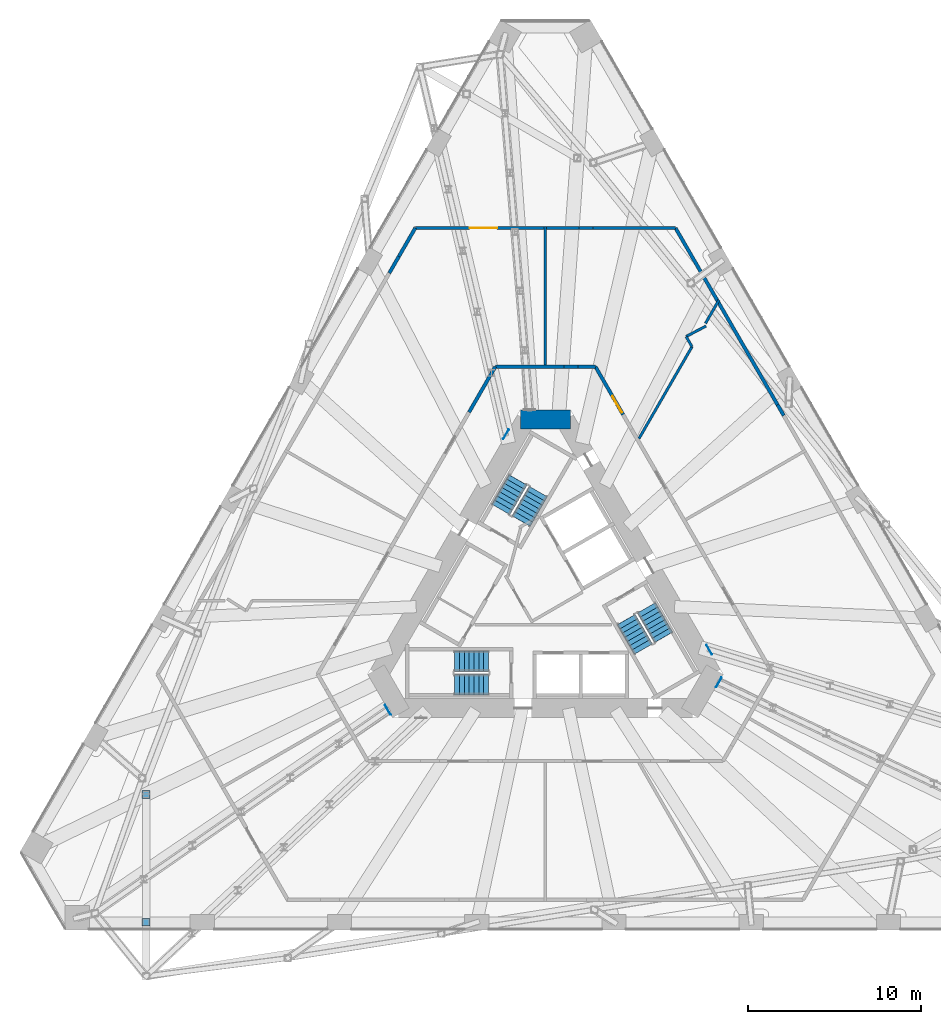
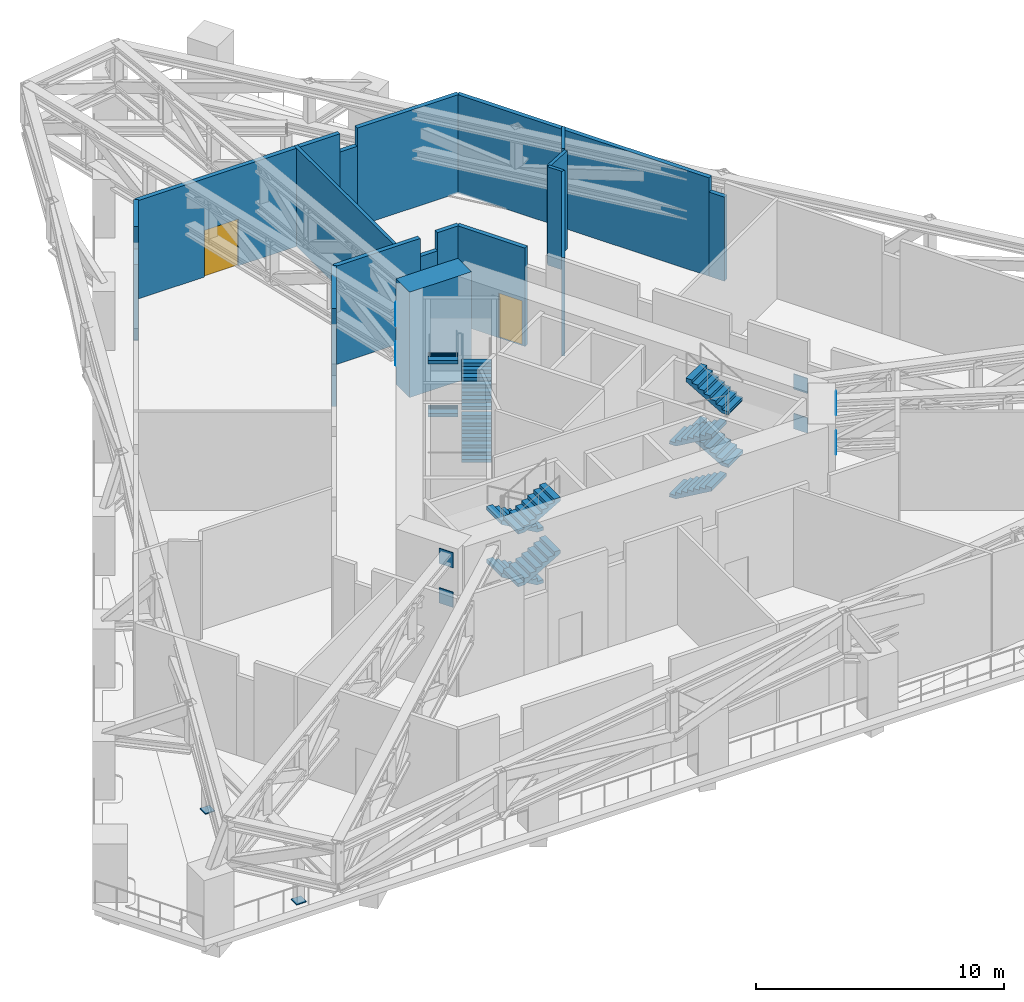
# One storey, part 13 of 20: 18 walls, 12 stair flights, 10 discrete accessories, 2 doors, 2 openings, 3 elements without a shape of their own.
"""IFC4 building model written with IfcOpenShell, lengths in metres."""

from ifc_helpers import new_model, si_unit, direction, frame, frame_2d, origin, origin_2d, place, context, subcontext, project, spatial, polyline, rectangle, outline, extrude, material, layer, layer_set, type_object, element, fill, aggregate, save


model = new_model("IFC4")

# Units and contexts
model_context = context("Model", 3, precision=1e-05, world=origin(), true_north=direction((0.0, 1.0)))
body_context = subcontext(model_context, "Body", "Model", "MODEL_VIEW")
ifc_project = project(units=[si_unit("LENGTHUNIT", "METRE"), si_unit("AREAUNIT", "SQUARE_METRE"), si_unit("VOLUMEUNIT", "CUBIC_METRE"), si_unit("PLANEANGLEUNIT", "RADIAN"), si_unit("MASSUNIT", "GRAM", prefix="KILO")], contexts=[model_context])

# Site, building, storey
site_placement = place(None, origin())
site = spatial("IfcSite", under=ifc_project, at=site_placement, CompositionType="ELEMENT")
building_placement = place(site_placement, origin())
building = spatial("IfcBuilding", under=site, at=building_placement, Name="Tramontana Tower", CompositionType="ELEMENT")
storey_placement = place(building_placement, frame((0.0, 0.0, 46.0)))
storey = spatial("IfcBuildingStorey", under=building, at=storey_placement, Name="L09", CompositionType="ELEMENT", Elevation=46.0)

# Walls
ifc_material_1 = material(Name="Concrete 70 MPa", Category="concrete")
ifc_layer_1 = layer(ifc_material_1, 1.10009765625)
ifc_layer_set_1 = layer_set([ifc_layer_1], Name="Core wall 1100 70 MPa")
wall_type_1 = type_object("IfcWallType", Name="Core wall 1100 70 MPa", PredefinedType="SHEAR", material=ifc_layer_set_1)
wall_1_placement = place(storey_placement, frame((1.443359375, 10.449951171875, 0.0), z_axis=(0.0, 0.0, 1.0), x_axis=(-1.0, 0.0, 0.0)))
element("IfcWall", 1, at=wall_1_placement, inside=storey, type_object=wall_type_1, Name="Core wall C0 L09", PredefinedType="SHEAR", context=body_context, shape_type="SweptSolid", body=[
    extrude(rectangle(XDim=2.88671875, YDim=1.10009765625, at=frame_2d((1.443359375, 0.0))), origin(), (0.0, 0.0, 1.0), 5.199951171875),
])
ifc_material_2 = material(Name="Blockwork", Category="masonry")
ifc_layer_2 = layer(ifc_material_2, 0.199951171875)
ifc_layer_set_2 = layer_set([ifc_layer_2], Name="ENCLOSURE WALL 200")
wall_type_2 = type_object("IfcWallType", Name="ENCLOSURE WALL 200", PredefinedType="SOLIDWALL", material=ifc_layer_set_2)
wall_2_placement = place(storey_placement, frame((7.505615234375, 21.5, 0.0), z_axis=(0.0, 0.0, 1.0), x_axis=(0.500004108169, -0.866023031919, 0.0)))
element("IfcWall", 2, at=wall_2_placement, inside=storey, type_object=wall_type_2, Name="Wall enc0-0", PredefinedType="SOLIDWALL", context=body_context, shape_type="SweptSolid", body=[
    extrude(rectangle(XDim=11.7802734375, YDim=0.199951171875, at=frame_2d((5.89013671875, 0.0))), origin(), (0.0, 0.0, 1.0), 4.85009765625),
])
wall_3_placement = place(storey_placement, frame((13.395751953125, 11.298095703125, 0.0), z_axis=(0.0, 0.0, 1.0), x_axis=(0.499881507708, -0.866093804534, 0.0)))
element("IfcWall", 3, at=wall_3_placement, inside=storey, type_object=wall_type_2, Name="Wall enc0-1", PredefinedType="SOLIDWALL", context=body_context, shape_type="SweptSolid", body=[
    extrude(rectangle(XDim=0.708740234375, YDim=0.199951171875, at=frame_2d((0.3544921875, 0.0))), origin(), (0.0, 0.0, 1.0), 4.14990234375),
])
wall_4_placement = place(storey_placement, frame((-9.00537109375, 18.90234375, 0.0), z_axis=(0.0, 0.0, 1.0), x_axis=(0.499951133605, 0.866053614973, 0.0)))
element("IfcWall", 4, at=wall_4_placement, inside=storey, type_object=wall_type_2, Name="Wall enc4-5", PredefinedType="SOLIDWALL", context=body_context, shape_type="SweptSolid", body=[
    extrude(rectangle(XDim=1.10888671875, YDim=0.199951171875, at=frame_2d((0.554443359375, 0.0))), origin(), (0.0, 0.0, 1.0), 3.75),
])
wall_5_placement = place(storey_placement, frame((-8.450927734375, 19.86279296875, 0.0), z_axis=(0.0, 0.0, 1.0), x_axis=(0.5000279999, 0.866009237431, 0.0)))
element("IfcWall", 5, at=wall_5_placement, inside=storey, type_object=wall_type_2, Name="Wall enc4-6", PredefinedType="SOLIDWALL", context=body_context, shape_type="SweptSolid", body=[
    extrude(rectangle(XDim=1.890625, YDim=0.199951171875, at=frame_2d((0.9453125, 0.0))), origin(), (0.0, 0.0, 1.0), 4.85009765625),
])

# Wall, opening, door
wall_6_placement = place(storey_placement, frame((-7.505615234375, 21.5, 0.0), z_axis=(0.0, 0.0, 1.0), x_axis=(1.0, 0.0, 0.0)))
wall_6 = element("IfcWall", 6, at=wall_6_placement, inside=storey, type_object=wall_type_2, Name="Wall enc5-0", PredefinedType="SOLIDWALL", context=body_context, shape_type="SweptSolid", body=[
    extrude(rectangle(XDim=9.455078125, YDim=0.199951171875, at=frame_2d((4.7275390625, 0.0))), origin(), (0.0, 0.0, 1.0), 4.85009765625),
])
opening_1_placement = place(wall_6_placement, frame((3.127685546875, 0.0, 0.0)))
opening_1 = element("IfcOpeningElement", 7, at=opening_1_placement, cuts=wall_6, Name="Opening L09-10", PredefinedType="OPENING", context=body_context, shape_type="SweptSolid", body=[
    extrude(rectangle(XDim=1.60009765625, YDim=2.300048828125, at=frame_2d((0.800048828125, 1.14990234375))), frame((0.0, 0.10986328125, 0.0), z_axis=(0.0, -1.0, 0.0), x_axis=(1.0, 0.0, 0.0)), (0.0, 0.0, 1.0), 0.219970703125),
])
ifc_material_3 = material(Name="Painted timber", Category="wood")
door_type_1 = type_object("IfcDoorType", Name="DOOR WIDE 1600", OperationType="SINGLE_SWING_LEFT", PredefinedType="DOOR", material=ifc_material_3)
door_1_placement = place(opening_1_placement, origin())
door_1 = element("IfcDoor", 8, at=door_1_placement, inside=storey, type_object=door_type_1, Name="Door L09-10", OperationType="DOUBLE_DOOR_SINGLE_SWING", OverallHeight=2.300048828125, OverallWidth=1.60009765625, PredefinedType="DOOR", context=body_context, shape_type="SweptSolid", body=[
    extrude(rectangle(XDim=1.60009765625, YDim=2.300048828125, at=frame_2d((0.800048828125, 1.14990234375))), frame((0.0, 0.02490234375, 0.0), z_axis=(0.0, -1.0, 0.0), x_axis=(1.0, 0.0, 0.0)), (0.0, 0.0, 1.0), 0.050048828125),
])
fill(opening_1, door_1)

# Walls
wall_7_placement = place(storey_placement, frame((1.949462890625, 21.5, 0.0), z_axis=(0.0, 0.0, 1.0), x_axis=(1.0, 0.0, 0.0)))
element("IfcWall", 9, at=wall_7_placement, inside=storey, type_object=wall_type_2, Name="Wall enc5-1", PredefinedType="SOLIDWALL", context=body_context, shape_type="SweptSolid", body=[
    extrude(rectangle(XDim=0.8046875, YDim=0.199951171875, at=frame_2d((0.40234375, 0.0))), origin(), (0.0, 0.0, 1.0), 3.949951171875),
])
wall_8_placement = place(storey_placement, frame((2.754150390625, 21.5, 0.0), z_axis=(0.0, 0.0, 1.0), x_axis=(1.0, 0.0, 0.0)))
element("IfcWall", 10, at=wall_8_placement, inside=storey, type_object=wall_type_2, Name="Wall enc5-2", PredefinedType="SOLIDWALL", context=body_context, shape_type="SweptSolid", body=[
    extrude(rectangle(XDim=4.75146484375, YDim=0.199951171875, at=frame_2d((2.375732421875, 0.0))), origin(), (0.0, 0.0, 1.0), 4.85009765625),
])

# Wall, opening, door
ifc_material_4 = material(Name="Blockwork", Category="masonry")
ifc_layer_3 = layer(ifc_material_4, 0.199951171875)
ifc_layer_set_3 = layer_set([ifc_layer_3], Name="ENTRY WALL 200")
wall_type_3 = type_object("IfcWallType", Name="ENTRY WALL 200", PredefinedType="SOLIDWALL", material=ifc_layer_set_3)
wall_9_placement = place(storey_placement, frame((2.88671875, 13.5, 0.0), z_axis=(0.0, 0.0, 1.0), x_axis=(0.50003154259, -0.866007191896, 0.0)))
wall_9 = element("IfcWall", 11, at=wall_9_placement, inside=storey, type_object=wall_type_3, Name="Wall ew0-0", PredefinedType="SOLIDWALL", context=body_context, shape_type="SweptSolid", body=[
    extrude(rectangle(XDim=3.190673828125, YDim=0.199951171875, at=frame_2d((1.59521484375, 0.0))), origin(), (0.0, 0.0, 1.0), 4.85009765625),
])
opening_2_placement = place(wall_9_placement, frame((1.955810546875, 0.0, 0.0)))
opening_2 = element("IfcOpeningElement", 12, at=opening_2_placement, cuts=wall_9, Name="Opening L09-01", PredefinedType="OPENING", context=body_context, shape_type="SweptSolid", body=[
    extrude(rectangle(XDim=1.10009765625, YDim=2.199951171875, at=frame_2d((0.550048828125, 1.10009765625))), frame((0.0, 0.10986328125, 0.0), z_axis=(0.0, -1.0, 0.0), x_axis=(1.0, 0.0, 0.0)), (0.0, 0.0, 1.0), 0.219970703125),
])
ifc_material_5 = material(Name="Painted steel", Category="steel")
door_type_2 = type_object("IfcDoorType", Name="PLANT DOOR 1100", OperationType="SINGLE_SWING_LEFT", PredefinedType="DOOR", material=ifc_material_5)
door_2_placement = place(opening_2_placement, origin())
door_2 = element("IfcDoor", 13, at=door_2_placement, inside=storey, type_object=door_type_2, Name="Door L09-01", OperationType="SINGLE_SWING_LEFT", OverallHeight=2.199951171875, OverallWidth=1.10009765625, PredefinedType="DOOR", context=body_context, shape_type="SweptSolid", body=[
    extrude(rectangle(XDim=1.10009765625, YDim=2.199951171875, at=frame_2d((0.550048828125, 1.10009765625))), frame((0.0, 0.02490234375, 0.0), z_axis=(0.0, -1.0, 0.0), x_axis=(1.0, 0.0, 0.0)), (0.0, 0.0, 1.0), 0.050048828125),
])
fill(opening_2, door_2)

# Walls
wall_10_placement = place(storey_placement, frame((-4.403076171875, 10.873779296875, 0.0), z_axis=(0.0, 0.0, 1.0), x_axis=(0.500026757412, 0.866009954834, 0.0)))
element("IfcWall", 14, at=wall_10_placement, inside=storey, type_object=wall_type_3, Name="Wall ew4-8", PredefinedType="SOLIDWALL", context=body_context, shape_type="SweptSolid", body=[
    extrude(rectangle(XDim=3.032470703125, YDim=0.199951171875, at=frame_2d((1.51611328125, 0.0))), origin(), (0.0, 0.0, 1.0), 4.85009765625),
])
wall_11_placement = place(storey_placement, frame((-2.88671875, 13.5, 0.0), z_axis=(0.0, 0.0, 1.0), x_axis=(1.0, 0.0, 0.0)))
element("IfcWall", 15, at=wall_11_placement, inside=storey, type_object=wall_type_3, Name="Wall ew5-0", PredefinedType="SOLIDWALL", context=body_context, shape_type="SweptSolid", body=[
    extrude(rectangle(XDim=3.9609375, YDim=0.199951171875, at=frame_2d((1.98046875, 0.0))), origin(), (0.0, 0.0, 1.0), 4.85009765625),
])
wall_12_placement = place(storey_placement, frame((1.07421875, 13.5, 0.0), z_axis=(0.0, 0.0, 1.0), x_axis=(1.0, 0.0, 0.0)))
element("IfcWall", 16, at=wall_12_placement, inside=storey, type_object=wall_type_3, Name="Wall ew5-1", PredefinedType="SOLIDWALL", context=body_context, shape_type="SweptSolid", body=[
    extrude(rectangle(XDim=0.804931640625, YDim=0.199951171875, at=frame_2d((0.40234375, 0.0))), origin(), (0.0, 0.0, 1.0), 3.949951171875),
])
wall_13_placement = place(storey_placement, frame((1.879150390625, 13.5, 0.0), z_axis=(0.0, 0.0, 1.0), x_axis=(1.0, 0.0, 0.0)))
element("IfcWall", 17, at=wall_13_placement, inside=storey, type_object=wall_type_3, Name="Wall ew5-2", PredefinedType="SOLIDWALL", context=body_context, shape_type="SweptSolid", body=[
    extrude(rectangle(XDim=1.007568359375, YDim=0.199951171875, at=frame_2d((0.50390625, 0.0))), origin(), (0.0, 0.0, 1.0), 4.85009765625),
])
ifc_material_6 = material(Name="Gypsum board partition")
ifc_layer_4 = layer(ifc_material_6, 0.14990234375)
ifc_layer_set_4 = layer_set([ifc_layer_4], Name="PARTITION 150")
wall_type_4 = type_object("IfcWallType", Name="PARTITION 150", PredefinedType="PARTITIONING", material=ifc_layer_set_4)
wall_14_placement = place(storey_placement, frame((0.0, 13.60009765625, 0.0), z_axis=(0.0, 0.0, 1.0), x_axis=(0.0, 1.0, 0.0)))
element("IfcWall", 18, at=wall_14_placement, inside=storey, type_object=wall_type_4, Name="Wall fw-pw07", PredefinedType="PARTITIONING", context=body_context, shape_type="SweptSolid", body=[
    extrude(rectangle(XDim=7.999755859375, YDim=0.14990234375, at=frame_2d((4.0, 0.0))), origin(), (0.0, 0.0, 1.0), 4.85009765625),
])
wall_15_placement = place(storey_placement, frame((8.119140625, 15.23681640625, 0.0), z_axis=(0.0, 0.0, 1.0), x_axis=(0.500013496215, -0.866017611601, 0.0)))
element("IfcWall", 19, at=wall_15_placement, inside=storey, type_object=wall_type_4, Name="Wall fw-pw10", PredefinedType="PARTITIONING", context=body_context, shape_type="SweptSolid", body=[
    extrude(rectangle(XDim=0.677734375, YDim=0.14990234375, at=frame_2d((0.3388671875, 0.0))), origin(), (0.0, 0.0, 1.0), 4.85009765625),
])
wall_16_placement = place(storey_placement, frame((8.4580078125, 14.649658203125, 0.0), z_axis=(0.0, 0.0, 1.0), x_axis=(-0.500013695359, -0.866017496621, 0.0)))
element("IfcWall", 20, at=wall_16_placement, inside=storey, type_object=wall_type_4, Name="Wall fw-pw11", PredefinedType="PARTITIONING", context=body_context, shape_type="SweptSolid", body=[
    extrude(rectangle(XDim=6.119384765625, YDim=0.14990234375, at=frame_2d((3.0595703125, 0.0))), origin(), (0.0, 0.0, 1.0), 4.85009765625),
])
wall_17_placement = place(storey_placement, frame((9.269287109375, 15.84521484375, 0.0), z_axis=(0.0, 0.0, 1.0), x_axis=(-0.884677612946, -0.466203304528, 0.0)))
element("IfcWall", 21, at=wall_17_placement, inside=storey, type_object=wall_type_4, Name="Wall fw-pw12", PredefinedType="PARTITIONING", context=body_context, shape_type="SweptSolid", body=[
    extrude(rectangle(XDim=1.29931640625, YDim=0.14990234375, at=frame_2d((0.649658203125, 0.0))), origin(), (0.0, 0.0, 1.0), 4.85009765625),
])
wall_18_placement = place(storey_placement, frame((10.01708984375, 17.349853515625, 0.0), z_axis=(0.0, 0.0, 1.0), x_axis=(-0.500097537186, -0.86596908334, 0.0)))
element("IfcWall", 22, at=wall_18_placement, inside=storey, type_object=wall_type_4, Name="Wall fw-pw13", PredefinedType="PARTITIONING", context=body_context, shape_type="SweptSolid", body=[
    extrude(rectangle(XDim=1.558837890625, YDim=0.14990234375, at=frame_2d((0.779296875, 0.0))), origin(), (0.0, 0.0, 1.0), 4.85009765625),
])

# Stair, stair flights
ifc_material_7 = material(Name="Concrete 40 MPa", Category="concrete")
stair_type = type_object("IfcStairType", Name="EXIT STAIR 32 RISERS", PredefinedType="HALF_TURN_STAIR", material=ifc_material_7)
stair_1_placement = place(storey_placement, origin())
stair_1 = element("IfcStair", 23, at=stair_1_placement, inside=storey, type_object=stair_type, Name="L09 Exit stair ST1", PredefinedType="HALF_TURN_STAIR")
ifc_material_8 = material(Name="Concrete 40 MPa", Category="concrete")
ifc_layer_5 = layer(ifc_material_8, 0.14990234375)
ifc_layer_set_5 = layer_set([ifc_layer_5], Name="EXIT STAIR FLIGHT")
stair_flight_type = type_object("IfcStairFlightType", Name="EXIT STAIR FLIGHT", PredefinedType="STRAIGHT", material=ifc_layer_set_5)
stair_flight_1_placement = place(storey_placement, frame((-1.39111328125, 4.590576171875, 0.0), z_axis=(0.0, 0.0, 1.0), x_axis=(0.5, 0.866025403784, 0.0)))
stair_flight_1 = element("IfcStairFlight", 24, at=stair_flight_1_placement, type_object=stair_flight_type, Name="ST1 flight 1", NumberOfRisers=8, NumberOfTreads=7, PredefinedType="STRAIGHT", RiserHeight=0.1625, TreadLength=0.28, context=body_context, shape_type="SweptSolid", body=[
    extrude(outline(polyline([(-0.006103515625, 0.0), (-0.006103515625, 0.0400390625), (0.0, 0.0400390625), (0.0, 0.16259765625), (0.280029296875, 0.16259765625), (0.280029296875, 0.324951171875), (0.56005859375, 0.324951171875), (0.56005859375, 0.487548828125), (0.840087890625, 0.487548828125), (0.840087890625, 0.64990234375), (1.1201171875, 0.64990234375), (1.1201171875, 0.8125), (1.39990234375, 0.8125), (1.39990234375, 0.97509765625), (1.679931640625, 0.97509765625), (1.679931640625, 1.137451171875), (1.9599609375, 1.137451171875), (1.966064453125, 1.137451171875), (1.966064453125, 0.964111328125), (0.3046875, 0.0), (-0.006103515625, 0.0)])), frame((0.0, 0.60009765625, 0.0), z_axis=(0.0, -1.0, 0.0), x_axis=(1.0, 0.0, 0.0)), (0.0, 0.0, 1.0), 1.199951171875),
])
stair_flight_2_placement = place(storey_placement, frame((-1.580322265625, 6.962890625, 1.300048828125), z_axis=(0.0, 0.0, 1.0), x_axis=(-0.5, -0.866025403784, 0.0)))
stair_flight_2 = element("IfcStairFlight", 25, at=stair_flight_2_placement, type_object=stair_flight_type, Name="ST1 flight 2", NumberOfRisers=8, NumberOfTreads=7, PredefinedType="STRAIGHT", RiserHeight=0.1625, TreadLength=0.28, context=body_context, shape_type="SweptSolid", body=[
    extrude(outline(polyline([(-0.006103515625, 0.0), (-0.006103515625, 0.0400390625), (0.0, 0.0400390625), (0.0, 0.16259765625), (0.280029296875, 0.16259765625), (0.280029296875, 0.324951171875), (0.56005859375, 0.324951171875), (0.56005859375, 0.487548828125), (0.840087890625, 0.487548828125), (0.840087890625, 0.64990234375), (1.1201171875, 0.64990234375), (1.1201171875, 0.8125), (1.39990234375, 0.8125), (1.39990234375, 0.97509765625), (1.679931640625, 0.97509765625), (1.679931640625, 1.137451171875), (1.9599609375, 1.137451171875), (1.966064453125, 1.137451171875), (1.966064453125, 0.964111328125), (0.3046875, 0.0), (-0.006103515625, 0.0)])), frame((0.0, 0.60009765625, 0.0), z_axis=(0.0, -1.0, 0.0), x_axis=(1.0, 0.0, 0.0)), (0.0, 0.0, 1.0), 1.199951171875),
])
stair_flight_3_placement = place(storey_placement, frame((-1.39111328125, 4.590576171875, 2.60009765625), z_axis=(0.0, 0.0, 1.0), x_axis=(0.5, 0.866025403784, 0.0)))
stair_flight_3 = element("IfcStairFlight", 26, at=stair_flight_3_placement, type_object=stair_flight_type, Name="ST1 flight 3", NumberOfRisers=8, NumberOfTreads=7, PredefinedType="STRAIGHT", RiserHeight=0.1625, TreadLength=0.28, context=body_context, shape_type="SweptSolid", body=[
    extrude(outline(polyline([(-0.006103515625, 0.0), (-0.006103515625, 0.0400390625), (0.0, 0.0400390625), (0.0, 0.16259765625), (0.280029296875, 0.16259765625), (0.280029296875, 0.324951171875), (0.56005859375, 0.324951171875), (0.56005859375, 0.487548828125), (0.840087890625, 0.487548828125), (0.840087890625, 0.64990234375), (1.1201171875, 0.64990234375), (1.1201171875, 0.8125), (1.39990234375, 0.8125), (1.39990234375, 0.97509765625), (1.679931640625, 0.97509765625), (1.679931640625, 1.137451171875), (1.9599609375, 1.137451171875), (1.966064453125, 1.137451171875), (1.966064453125, 0.964111328125), (0.3046875, 0.0), (-0.006103515625, 0.0)])), frame((0.0, 0.60009765625, 0.0), z_axis=(0.0, -1.0, 0.0), x_axis=(1.0, 0.0, 0.0)), (0.0, 0.0, 1.0), 1.199951171875),
])
stair_flight_4_placement = place(storey_placement, frame((-1.580322265625, 6.962890625, 3.89990234375), z_axis=(0.0, 0.0, 1.0), x_axis=(-0.5, -0.866025403784, 0.0)))
stair_flight_4 = element("IfcStairFlight", 27, at=stair_flight_4_placement, type_object=stair_flight_type, Name="ST1 flight 4", NumberOfRisers=8, NumberOfTreads=7, PredefinedType="STRAIGHT", RiserHeight=0.1625, TreadLength=0.28, context=body_context, shape_type="SweptSolid", body=[
    extrude(outline(polyline([(-0.006103515625, 0.0), (-0.006103515625, 0.0400390625), (0.0, 0.0400390625), (0.0, 0.16259765625), (0.280029296875, 0.16259765625), (0.280029296875, 0.324951171875), (0.56005859375, 0.324951171875), (0.56005859375, 0.487548828125), (0.840087890625, 0.487548828125), (0.840087890625, 0.64990234375), (1.1201171875, 0.64990234375), (1.1201171875, 0.8125), (1.39990234375, 0.8125), (1.39990234375, 0.97509765625), (1.679931640625, 0.97509765625), (1.679931640625, 1.137451171875), (1.9599609375, 1.137451171875), (1.966064453125, 1.137451171875), (1.966064453125, 0.964111328125), (0.3046875, 0.0), (-0.006103515625, 0.0)])), frame((0.0, 0.60009765625, 0.0), z_axis=(0.0, -1.0, 0.0), x_axis=(1.0, 0.0, 0.0)), (0.0, 0.0, 1.0), 1.199951171875),
])
aggregate(stair_1, [stair_flight_1, stair_flight_2, stair_flight_3, stair_flight_4])

stair_2_placement = place(storey_placement, origin())
stair_2 = element("IfcStair", 28, at=stair_2_placement, inside=storey, type_object=stair_type, Name="L09 Exit stair ST2", PredefinedType="HALF_TURN_STAIR")
stair_flight_5_placement = place(storey_placement, frame((-3.280029296875, -3.5, 0.0), z_axis=(0.0, 0.0, 1.0), x_axis=(-1.0, 0.0, 0.0)))
stair_flight_5 = element("IfcStairFlight", 29, at=stair_flight_5_placement, type_object=stair_flight_type, Name="ST2 flight 1", NumberOfRisers=8, NumberOfTreads=7, PredefinedType="STRAIGHT", RiserHeight=0.1625, TreadLength=0.28, context=body_context, shape_type="SweptSolid", body=[
    extrude(outline(polyline([(-0.006103515625, 0.0), (-0.006103515625, 0.0400390625), (0.0, 0.0400390625), (0.0, 0.16259765625), (0.280029296875, 0.16259765625), (0.280029296875, 0.324951171875), (0.56005859375, 0.324951171875), (0.56005859375, 0.487548828125), (0.840087890625, 0.487548828125), (0.840087890625, 0.64990234375), (1.1201171875, 0.64990234375), (1.1201171875, 0.8125), (1.39990234375, 0.8125), (1.39990234375, 0.97509765625), (1.679931640625, 0.97509765625), (1.679931640625, 1.137451171875), (1.9599609375, 1.137451171875), (1.966064453125, 1.137451171875), (1.966064453125, 0.964111328125), (0.3046875, 0.0), (-0.006103515625, 0.0)])), frame((0.0, 0.60009765625, 0.0), z_axis=(0.0, -1.0, 0.0), x_axis=(1.0, 0.0, 0.0)), (0.0, 0.0, 1.0), 1.199951171875),
])
stair_flight_6_placement = place(storey_placement, frame((-5.239990234375, -4.85009765625, 1.300048828125), z_axis=(0.0, 0.0, 1.0), x_axis=(1.0, 0.0, 0.0)))
stair_flight_6 = element("IfcStairFlight", 30, at=stair_flight_6_placement, type_object=stair_flight_type, Name="ST2 flight 2", NumberOfRisers=8, NumberOfTreads=7, PredefinedType="STRAIGHT", RiserHeight=0.1625, TreadLength=0.28, context=body_context, shape_type="SweptSolid", body=[
    extrude(outline(polyline([(-0.006103515625, 0.0), (-0.006103515625, 0.0400390625), (0.0, 0.0400390625), (0.0, 0.16259765625), (0.280029296875, 0.16259765625), (0.280029296875, 0.324951171875), (0.56005859375, 0.324951171875), (0.56005859375, 0.487548828125), (0.840087890625, 0.487548828125), (0.840087890625, 0.64990234375), (1.1201171875, 0.64990234375), (1.1201171875, 0.8125), (1.39990234375, 0.8125), (1.39990234375, 0.97509765625), (1.679931640625, 0.97509765625), (1.679931640625, 1.137451171875), (1.9599609375, 1.137451171875), (1.966064453125, 1.137451171875), (1.966064453125, 0.964111328125), (0.3046875, 0.0), (-0.006103515625, 0.0)])), frame((0.0, 0.60009765625, 0.0), z_axis=(0.0, -1.0, 0.0), x_axis=(1.0, 0.0, 0.0)), (0.0, 0.0, 1.0), 1.199951171875),
])
stair_flight_7_placement = place(storey_placement, frame((-3.280029296875, -3.5, 2.60009765625), z_axis=(0.0, 0.0, 1.0), x_axis=(-1.0, 0.0, 0.0)))
stair_flight_7 = element("IfcStairFlight", 31, at=stair_flight_7_placement, type_object=stair_flight_type, Name="ST2 flight 3", NumberOfRisers=8, NumberOfTreads=7, PredefinedType="STRAIGHT", RiserHeight=0.1625, TreadLength=0.28, context=body_context, shape_type="SweptSolid", body=[
    extrude(outline(polyline([(-0.006103515625, 0.0), (-0.006103515625, 0.0400390625), (0.0, 0.0400390625), (0.0, 0.16259765625), (0.280029296875, 0.16259765625), (0.280029296875, 0.324951171875), (0.56005859375, 0.324951171875), (0.56005859375, 0.487548828125), (0.840087890625, 0.487548828125), (0.840087890625, 0.64990234375), (1.1201171875, 0.64990234375), (1.1201171875, 0.8125), (1.39990234375, 0.8125), (1.39990234375, 0.97509765625), (1.679931640625, 0.97509765625), (1.679931640625, 1.137451171875), (1.9599609375, 1.137451171875), (1.966064453125, 1.137451171875), (1.966064453125, 0.964111328125), (0.3046875, 0.0), (-0.006103515625, 0.0)])), frame((0.0, 0.60009765625, 0.0), z_axis=(0.0, -1.0, 0.0), x_axis=(1.0, 0.0, 0.0)), (0.0, 0.0, 1.0), 1.199951171875),
])
stair_flight_8_placement = place(storey_placement, frame((-5.239990234375, -4.85009765625, 3.89990234375), z_axis=(0.0, 0.0, 1.0), x_axis=(1.0, 0.0, 0.0)))
stair_flight_8 = element("IfcStairFlight", 32, at=stair_flight_8_placement, type_object=stair_flight_type, Name="ST2 flight 4", NumberOfRisers=8, NumberOfTreads=7, PredefinedType="STRAIGHT", RiserHeight=0.1625, TreadLength=0.28, context=body_context, shape_type="SweptSolid", body=[
    extrude(outline(polyline([(-0.006103515625, 0.0), (-0.006103515625, 0.0400390625), (0.0, 0.0400390625), (0.0, 0.16259765625), (0.280029296875, 0.16259765625), (0.280029296875, 0.324951171875), (0.56005859375, 0.324951171875), (0.56005859375, 0.487548828125), (0.840087890625, 0.487548828125), (0.840087890625, 0.64990234375), (1.1201171875, 0.64990234375), (1.1201171875, 0.8125), (1.39990234375, 0.8125), (1.39990234375, 0.97509765625), (1.679931640625, 0.97509765625), (1.679931640625, 1.137451171875), (1.9599609375, 1.137451171875), (1.966064453125, 1.137451171875), (1.966064453125, 0.964111328125), (0.3046875, 0.0), (-0.006103515625, 0.0)])), frame((0.0, 0.60009765625, 0.0), z_axis=(0.0, -1.0, 0.0), x_axis=(1.0, 0.0, 0.0)), (0.0, 0.0, 1.0), 1.199951171875),
])
aggregate(stair_2, [stair_flight_5, stair_flight_6, stair_flight_7, stair_flight_8])

stair_3_placement = place(storey_placement, origin())
stair_3 = element("IfcStair", 33, at=stair_3_placement, inside=storey, type_object=stair_type, Name="L09 Exit stair ST3", PredefinedType="HALF_TURN_STAIR")
stair_flight_9_placement = place(storey_placement, frame((4.671142578125, -1.090576171875, 0.0), z_axis=(0.0, 0.0, 1.0), x_axis=(0.5, -0.866025403784, 0.0)))
stair_flight_9 = element("IfcStairFlight", 34, at=stair_flight_9_placement, type_object=stair_flight_type, Name="ST3 flight 1", NumberOfRisers=8, NumberOfTreads=7, PredefinedType="STRAIGHT", RiserHeight=0.1625, TreadLength=0.28, context=body_context, shape_type="SweptSolid", body=[
    extrude(outline(polyline([(-0.006103515625, 0.0), (-0.006103515625, 0.0400390625), (0.0, 0.0400390625), (0.0, 0.16259765625), (0.280029296875, 0.16259765625), (0.280029296875, 0.324951171875), (0.56005859375, 0.324951171875), (0.56005859375, 0.487548828125), (0.840087890625, 0.487548828125), (0.840087890625, 0.64990234375), (1.1201171875, 0.64990234375), (1.1201171875, 0.8125), (1.39990234375, 0.8125), (1.39990234375, 0.97509765625), (1.679931640625, 0.97509765625), (1.679931640625, 1.137451171875), (1.9599609375, 1.137451171875), (1.966064453125, 1.137451171875), (1.966064453125, 0.964111328125), (0.3046875, 0.0), (-0.006103515625, 0.0)])), frame((0.0, 0.60009765625, 0.0), z_axis=(0.0, -1.0, 0.0), x_axis=(1.0, 0.0, 0.0)), (0.0, 0.0, 1.0), 1.199951171875),
])
stair_flight_10_placement = place(storey_placement, frame((6.8203125, -2.113037109375, 1.300048828125), z_axis=(0.0, 0.0, 1.0), x_axis=(-0.5, 0.866025403784, 0.0)))
stair_flight_10 = element("IfcStairFlight", 35, at=stair_flight_10_placement, type_object=stair_flight_type, Name="ST3 flight 2", NumberOfRisers=8, NumberOfTreads=7, PredefinedType="STRAIGHT", RiserHeight=0.1625, TreadLength=0.28, context=body_context, shape_type="SweptSolid", body=[
    extrude(outline(polyline([(-0.006103515625, 0.0), (-0.006103515625, 0.0400390625), (0.0, 0.0400390625), (0.0, 0.16259765625), (0.280029296875, 0.16259765625), (0.280029296875, 0.324951171875), (0.56005859375, 0.324951171875), (0.56005859375, 0.487548828125), (0.840087890625, 0.487548828125), (0.840087890625, 0.64990234375), (1.1201171875, 0.64990234375), (1.1201171875, 0.8125), (1.39990234375, 0.8125), (1.39990234375, 0.97509765625), (1.679931640625, 0.97509765625), (1.679931640625, 1.137451171875), (1.9599609375, 1.137451171875), (1.966064453125, 1.137451171875), (1.966064453125, 0.964111328125), (0.3046875, 0.0), (-0.006103515625, 0.0)])), frame((0.0, 0.60009765625, 0.0), z_axis=(0.0, -1.0, 0.0), x_axis=(1.0, 0.0, 0.0)), (0.0, 0.0, 1.0), 1.199951171875),
])
stair_flight_11_placement = place(storey_placement, frame((4.671142578125, -1.090576171875, 2.60009765625), z_axis=(0.0, 0.0, 1.0), x_axis=(0.5, -0.866025403784, 0.0)))
stair_flight_11 = element("IfcStairFlight", 36, at=stair_flight_11_placement, type_object=stair_flight_type, Name="ST3 flight 3", NumberOfRisers=8, NumberOfTreads=7, PredefinedType="STRAIGHT", RiserHeight=0.1625, TreadLength=0.28, context=body_context, shape_type="SweptSolid", body=[
    extrude(outline(polyline([(-0.006103515625, 0.0), (-0.006103515625, 0.0400390625), (0.0, 0.0400390625), (0.0, 0.16259765625), (0.280029296875, 0.16259765625), (0.280029296875, 0.324951171875), (0.56005859375, 0.324951171875), (0.56005859375, 0.487548828125), (0.840087890625, 0.487548828125), (0.840087890625, 0.64990234375), (1.1201171875, 0.64990234375), (1.1201171875, 0.8125), (1.39990234375, 0.8125), (1.39990234375, 0.97509765625), (1.679931640625, 0.97509765625), (1.679931640625, 1.137451171875), (1.9599609375, 1.137451171875), (1.966064453125, 1.137451171875), (1.966064453125, 0.964111328125), (0.3046875, 0.0), (-0.006103515625, 0.0)])), frame((0.0, 0.60009765625, 0.0), z_axis=(0.0, -1.0, 0.0), x_axis=(1.0, 0.0, 0.0)), (0.0, 0.0, 1.0), 1.199951171875),
])
stair_flight_12_placement = place(storey_placement, frame((6.8203125, -2.113037109375, 3.89990234375), z_axis=(0.0, 0.0, 1.0), x_axis=(-0.5, 0.866025403784, 0.0)))
stair_flight_12 = element("IfcStairFlight", 37, at=stair_flight_12_placement, type_object=stair_flight_type, Name="ST3 flight 4", NumberOfRisers=8, NumberOfTreads=7, PredefinedType="STRAIGHT", RiserHeight=0.1625, TreadLength=0.28, context=body_context, shape_type="SweptSolid", body=[
    extrude(outline(polyline([(-0.006103515625, 0.0), (-0.006103515625, 0.0400390625), (0.0, 0.0400390625), (0.0, 0.16259765625), (0.280029296875, 0.16259765625), (0.280029296875, 0.324951171875), (0.56005859375, 0.324951171875), (0.56005859375, 0.487548828125), (0.840087890625, 0.487548828125), (0.840087890625, 0.64990234375), (1.1201171875, 0.64990234375), (1.1201171875, 0.8125), (1.39990234375, 0.8125), (1.39990234375, 0.97509765625), (1.679931640625, 0.97509765625), (1.679931640625, 1.137451171875), (1.9599609375, 1.137451171875), (1.966064453125, 1.137451171875), (1.966064453125, 0.964111328125), (0.3046875, 0.0), (-0.006103515625, 0.0)])), frame((0.0, 0.60009765625, 0.0), z_axis=(0.0, -1.0, 0.0), x_axis=(1.0, 0.0, 0.0)), (0.0, 0.0, 1.0), 1.199951171875),
])
aggregate(stair_3, [stair_flight_9, stair_flight_10, stair_flight_11, stair_flight_12])

# Discrete accessories
ifc_material_9 = material(Name="Steel ASTM A572 Grade 50", Category="steel")
ifc_layer_6 = layer(ifc_material_9, 0.0400390625)
ifc_layer_set_6 = layer_set([ifc_layer_6], Name="Base plate 450X450X40")
discrete_accessory_type_1 = type_object("IfcDiscreteAccessoryType", Name="Base plate 450X450X40", PredefinedType="ANCHORPLATE", material=ifc_layer_set_6)
for number, where, z_axis, x_axis, name in (
    (38, (-23.040283203125, -18.550048828125, 0.0), (0.0, 0.0, 1.0), (1.0, 0.0, 0.0), "Transfer truss post base plate C1K3.1"),
    (39, (-23.040283203125, -11.179931640625, 0.0), (0.0, 0.0, 1.0), (1.0, 0.0, 0.0), "Transfer truss post base plate C1K3.2"),
):
    element("IfcDiscreteAccessory", number, at=place(storey_placement, frame(where, z_axis=z_axis, x_axis=x_axis)), inside=storey, type_object=discrete_accessory_type_1, Name=name, PredefinedType="ANCHORPLATE", context=body_context, shape_type="SweptSolid", body=[
        extrude(rectangle(XDim=0.449951171875, YDim=0.449951171875, at=origin_2d()), origin(), (0.0, 0.0, 1.0), 0.0400390625),
    ])
ifc_material_10 = material(Name="Steel ASTM A572 Grade 50", Category="steel")
ifc_layer_7 = layer(ifc_material_10, 0.0400390625)
ifc_layer_set_7 = layer_set([ifc_layer_7], Name="Cast-in plate 650X750X40")
discrete_accessory_type_2 = type_object("IfcDiscreteAccessoryType", Name="Cast-in plate 650X750X40", PredefinedType="ANCHORPLATE", material=ifc_layer_set_7)
for number, where, z_axis, x_axis, name in (
    (40, (-9.086181640625, -6.30224609375, 2.274169921875), (0.0, 0.0, 1.0), (0.5, -0.866025403784, 0.0), "Cast-in plate Transfer truss 1 bottom chord"),
    (41, (-9.086181640625, -6.30224609375, 4.225830078125), (0.0, 0.0, 1.0), (0.5, -0.866025403784, 0.0), "Cast-in plate Transfer truss 1 top chord"),
    (42, (10.0009765625, -4.7177734375, 2.274169921875), (0.0, 0.0, 1.0), (0.5, 0.866025403784, 0.0), "Cast-in plate Transfer truss 3 bottom chord"),
    (43, (10.0009765625, -4.7177734375, 4.225830078125), (0.0, 0.0, 1.0), (0.5, 0.866025403784, 0.0), "Cast-in plate Transfer truss 3 top chord"),
    (44, (9.451171875, -2.830078125, 2.274169921875), (0.0, 0.0, 1.0), (-0.5, 0.866025403784, 0.0), "Cast-in plate Transfer truss 4 bottom chord"),
    (45, (9.451171875, -2.830078125, 4.225830078125), (0.0, 0.0, 1.0), (-0.5, 0.866025403784, 0.0), "Cast-in plate Transfer truss 4 top chord"),
    (46, (-2.27490234375, 9.60009765625, 2.274169921875), (0.0, 0.0, 1.0), (-0.5, -0.866025403784, 0.0), "Cast-in plate Transfer truss 6 bottom chord"),
    (47, (-2.27490234375, 9.60009765625, 4.225830078125), (0.0, 0.0, 1.0), (-0.5, -0.866025403784, 0.0), "Cast-in plate Transfer truss 6 top chord"),
):
    element("IfcDiscreteAccessory", number, at=place(storey_placement, frame(where, z_axis=z_axis, x_axis=x_axis)), inside=storey, type_object=discrete_accessory_type_2, Name=name, PredefinedType="ANCHORPLATE", context=body_context, shape_type="SweptSolid", body=[
        extrude(rectangle(XDim=0.64990234375, YDim=0.0400390625, at=origin_2d()), origin(), (0.0, 0.0, 1.0), 0.75),
    ])

save(model, "model.ifc")
